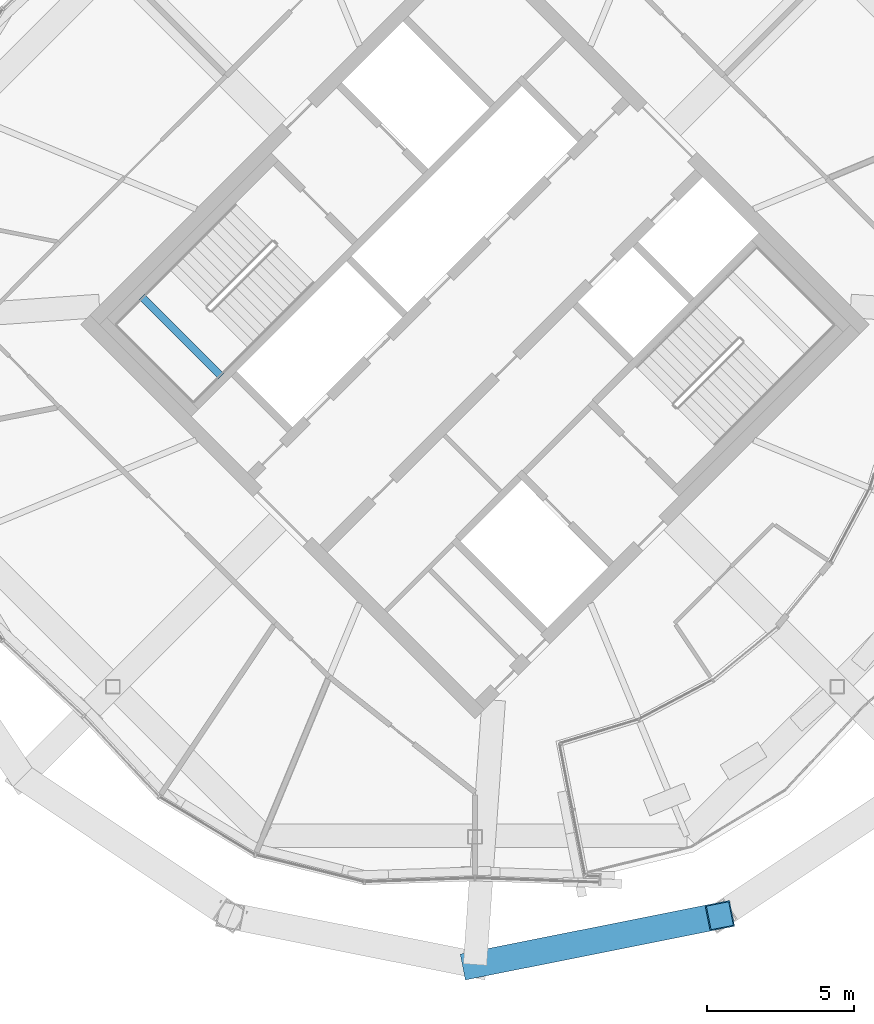
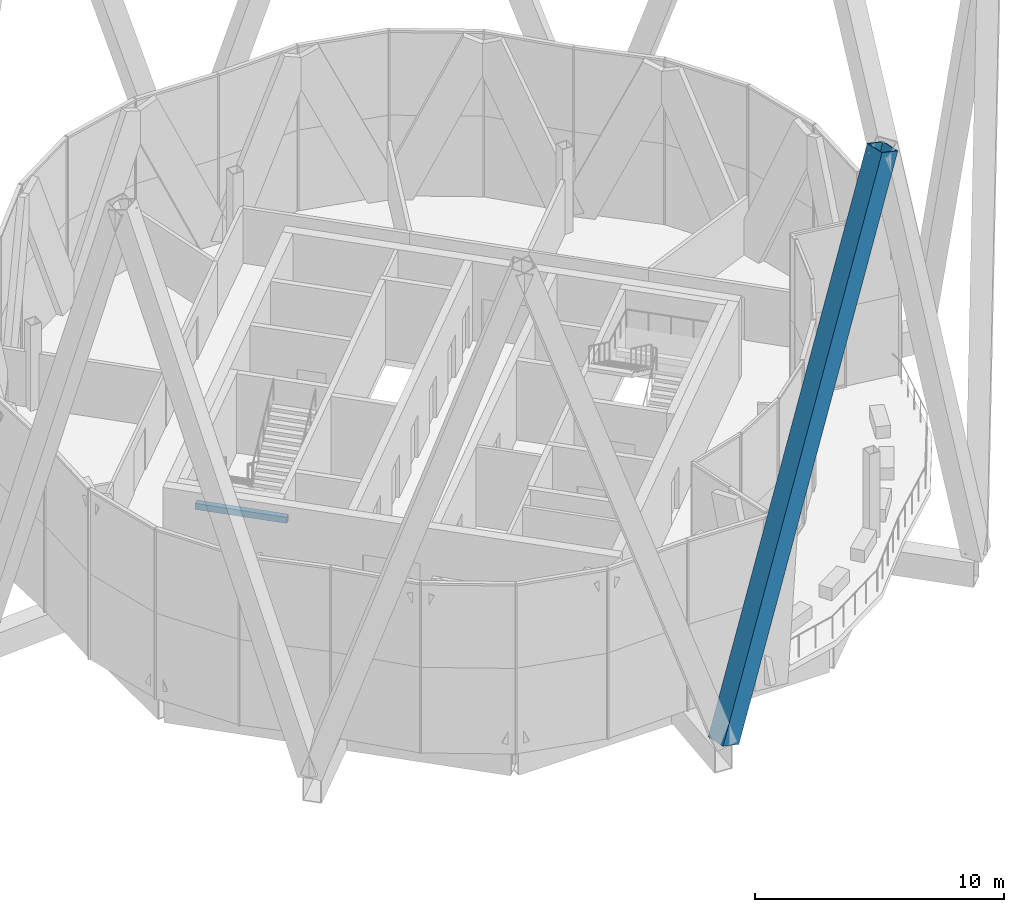
# One storey, part 15 of 38: 1 beam, 1 member.
"""IFC4 building model written with IfcOpenShell, lengths in metres."""

from ifc_helpers import new_model, si_unit, direction, frame, origin, origin_2d, place, context, subcontext, project, spatial, rectangle, hollow_rectangle, extrude, material, material_profile, profile_set, type_object, element, save


model = new_model("IFC4")

# Units and contexts
model_context = context("Model", 3, precision=1e-05, world=origin(), true_north=direction((0.0, 1.0)))
body_context = subcontext(model_context, "Body", "Model", "MODEL_VIEW")
ifc_project = project(units=[si_unit("LENGTHUNIT", "METRE"), si_unit("AREAUNIT", "SQUARE_METRE"), si_unit("VOLUMEUNIT", "CUBIC_METRE"), si_unit("PLANEANGLEUNIT", "RADIAN"), si_unit("MASSUNIT", "GRAM", prefix="KILO")], contexts=[model_context])

# Site, building, storey
site_placement = place(None, origin())
site = spatial("IfcSite", under=ifc_project, at=site_placement, CompositionType="ELEMENT")
building_placement = place(site_placement, origin())
building = spatial("IfcBuilding", under=site, at=building_placement, Name="Ogive Gate Towers", CompositionType="ELEMENT")
storey_placement = place(building_placement, frame((0.0, 0.0, 268.800048828125)))
storey = spatial("IfcBuildingStorey", under=building, at=storey_placement, Name="L63", CompositionType="ELEMENT", Elevation=268.800048828125)

# Member
ifc_material_1 = material(Name="Steel SM460", Category="steel")
ifc_material_profile_1 = material_profile(ifc_material_1, hollow_rectangle(XDim=0.89990234375, YDim=0.89990234375, WallThickness=0.0400390625, at=origin_2d()), Name="BX 900x900x40")
ifc_profile_set_1 = profile_set([ifc_material_profile_1], Name="Steel SM460")
member_type = type_object("IfcMemberType", Name="Diagrid diagonal BX 900x900x40", PredefinedType="BRACE", material=ifc_profile_set_1)
member_placement = place(storey_placement, frame((36.0, -21.81005859375, 0.0), z_axis=(0.313729069492, 0.062591606684, 0.947447287045), x_axis=(-0.195652622636, 0.980673264271, 0.0)))
element("IfcMember", 1, at=member_placement, inside=storey, type_object=member_type, Name="T2/L63/SDG014", PredefinedType="BRACE", context=body_context, shape_type="SweptSolid", body=[
    extrude(hollow_rectangle(XDim=0.89990234375, YDim=0.89990234375, WallThickness=0.0400390625, at=origin_2d()), origin(), (0.0, 0.0, 1.0), 26.59765625),
])

# Beam
ifc_material_2 = material(Name="Concrete C40/50", Category="concrete")
ifc_material_profile_2 = material_profile(ifc_material_2, rectangle(XDim=0.25, YDim=0.300048828125, at=origin_2d()), Name="RC 250x300")
ifc_profile_set_2 = profile_set([ifc_material_profile_2], Name="Concrete C40/50")
beam_type = type_object("IfcBeamType", Name="Landing bearer RC 250x300", PredefinedType="BEAM", material=ifc_profile_set_2)
beam_placement = place(storey_placement, frame((24.64111328125, 0.94482421875, 1.75), z_axis=(0.707138693938, -0.707074866995, 0.0), x_axis=(0.707074866995, 0.707138693938, 0.0)))
element("IfcBeam", 2, at=beam_placement, inside=storey, type_object=beam_type, Name="T2 L63 stair 1 landing bearer 1", PredefinedType="BEAM", context=body_context, shape_type="SweptSolid", body=[
    extrude(rectangle(XDim=0.25, YDim=0.300048828125, at=origin_2d()), origin(), (0.0, 0.0, 1.0), 3.824951171875),
])

save(model, "model.ifc")
